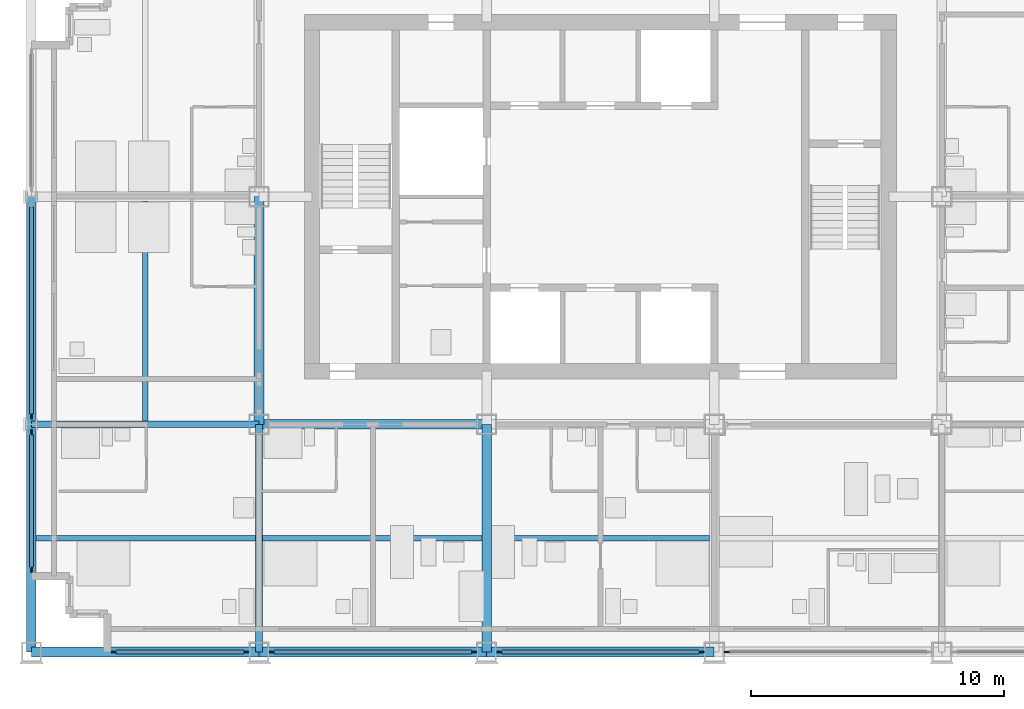
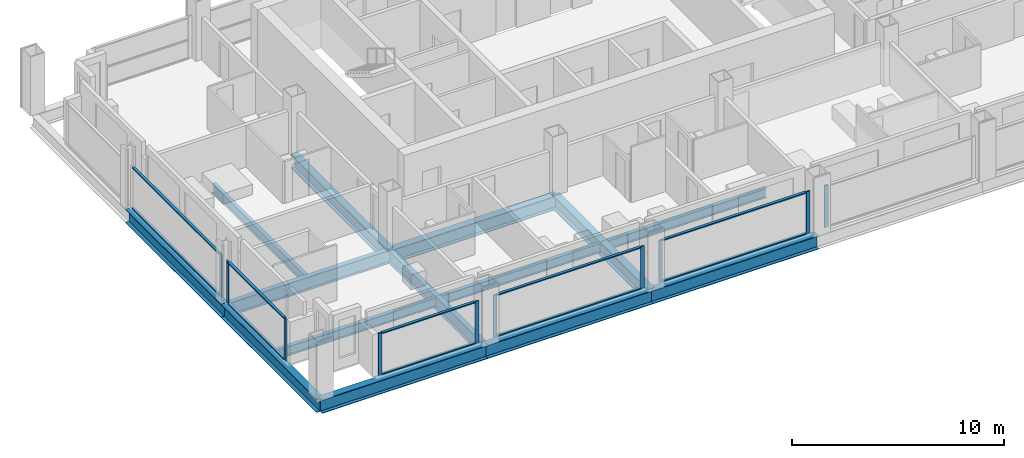
# One storey, part 2 of 13: 20 members, 14 beams, 6 elements without a shape of their own.
"""IFC4 building model written with IfcOpenShell, lengths in metres."""

from ifc_helpers import new_model, si_unit, direction, frame, origin, origin_2d, place, context, subcontext, project, spatial, rectangle, i_section, extrude, material, material_profile, profile_set, type_object, element, aggregate, save


model = new_model("IFC4")

# Units and contexts
model_context = context("Model", 3, precision=1e-05, world=origin(), true_north=direction((0.0, 1.0)))
body_context = subcontext(model_context, "Body", "Model", "MODEL_VIEW")
ifc_project = project(units=[si_unit("LENGTHUNIT", "METRE"), si_unit("AREAUNIT", "SQUARE_METRE"), si_unit("VOLUMEUNIT", "CUBIC_METRE"), si_unit("PLANEANGLEUNIT", "RADIAN"), si_unit("MASSUNIT", "GRAM", prefix="KILO")], contexts=[model_context])

# Site, building, storey
site_placement = place(None, origin())
site = spatial("IfcSite", under=ifc_project, at=site_placement, CompositionType="ELEMENT")
building_placement = place(site_placement, origin())
building = spatial("IfcBuilding", under=site, at=building_placement, Name="Loomwork Tower", CompositionType="ELEMENT")
storey_placement = place(building_placement, frame((0.0, 0.0, 201.199951171875)))
storey = spatial("IfcBuildingStorey", under=building, at=storey_placement, Name="L55", CompositionType="ELEMENT", Elevation=201.199951171875)

# Beams
ifc_material_1 = material(Name="Steel ASTM A992", Category="steel")
ifc_material_profile_1 = material_profile(ifc_material_1, i_section(OverallWidth=0.383544921875, OverallDepth=0.794921875, WebThickness=0.02099609375, FlangeThickness=0.0380859375, at=origin_2d()), Name="W30x235")
ifc_profile_set_1 = profile_set([ifc_material_profile_1], Name="Steel ASTM A992")
beam_type_1 = type_object("IfcBeamType", Name="CORE FLANK GIRDER W30x235", PredefinedType="BEAM", material=ifc_profile_set_1)
for number, where, z_axis, x_axis, name in (
    (1, (9.0, 9.0, -0.597412109375), (1.0, 0.0, 0.0), (0.0, 1.0, 0.0), "Core Flank Girder E/3-E/4 L55"),
    (2, (9.0, 9.0, -0.597412109375), (0.0, 1.0, 0.0), (-1.0, 0.0, 0.0), "Core Flank Girder E/3-F/3 L55"),
    (3, (18.0, 0.0, -0.597412109375), (0.0, 1.0, 0.0), (-1.0, 0.0, 0.0), "Core Flank Girder D/4-E/4 L55"),
):
    element("IfcBeam", number, at=place(storey_placement, frame(where, z_axis=z_axis, x_axis=x_axis)), inside=storey, type_object=beam_type_1, Name=name, PredefinedType="BEAM", context=body_context, shape_type="SweptSolid", body=[
        extrude(i_section(OverallWidth=0.383544921875, OverallDepth=0.794921875, WebThickness=0.02099609375, FlangeThickness=0.0380859375, at=origin_2d()), origin(), (0.0, 0.0, 1.0), 9.0),
    ])
ifc_material_2 = material(Name="Steel ASTM A992", Category="steel")
ifc_material_profile_2 = material_profile(ifc_material_2, i_section(OverallWidth=0.2666015625, OverallDepth=0.761962890625, WebThickness=0.014404296875, FlangeThickness=0.021484375, at=origin_2d()), Name="W30x116")
ifc_profile_set_2 = profile_set([ifc_material_profile_2], Name="Steel ASTM A992")
beam_type_2 = type_object("IfcBeamType", Name="FLOOR GIRDER W30x116", PredefinedType="BEAM", material=ifc_profile_set_2)
for number, where, z_axis, x_axis, name in (
    (4, (0.0, 9.0, -0.5810546875), (1.0, 0.0, 0.0), (0.0, 1.0, 0.0), "Floor Girder E/2-E/3 L55"),
    (5, (9.0, 0.0, -0.5810546875), (0.0, 1.0, 0.0), (-1.0, 0.0, 0.0), "Floor Girder D/3-E/3 L55"),
):
    element("IfcBeam", number, at=place(storey_placement, frame(where, z_axis=z_axis, x_axis=x_axis)), inside=storey, type_object=beam_type_2, Name=name, PredefinedType="BEAM", context=body_context, shape_type="SweptSolid", body=[
        extrude(i_section(OverallWidth=0.2666015625, OverallDepth=0.761962890625, WebThickness=0.014404296875, FlangeThickness=0.021484375, at=origin_2d()), origin(), (0.0, 0.0, 1.0), 9.0),
    ])
ifc_material_3 = material(Name="Steel ASTM A992", Category="steel")
ifc_material_profile_3 = material_profile(ifc_material_3, i_section(OverallWidth=0.2109375, OverallDepth=0.53857421875, WebThickness=0.011474609375, FlangeThickness=0.018798828125, at=origin_2d()), Name="W21x73")
ifc_profile_set_3 = profile_set([ifc_material_profile_3], Name="Steel ASTM A992")
beam_type_3 = type_object("IfcBeamType", Name="FLOOR JOIST W21x73", PredefinedType="JOIST", material=ifc_profile_set_3)
beam_1_placement = place(storey_placement, frame((0.18994140625, 4.5, -0.46923828125), z_axis=(1.0, 0.0, 0.0), x_axis=(0.0, 1.0, 0.0)))
element("IfcBeam", 6, at=beam_1_placement, inside=storey, type_object=beam_type_3, Name="Floor Joist 0.000,4.500-9.000,4.500 L55", PredefinedType="JOIST", context=body_context, shape_type="SweptSolid", body=[
    extrude(i_section(OverallWidth=0.2109375, OverallDepth=0.53857421875, WebThickness=0.011474609375, FlangeThickness=0.018798828125, at=origin_2d()), origin(), (0.0, 0.0, 1.0), 8.677001953125),
])
for number, where, z_axis, x_axis, name in (
    (7, (4.5, 9.133056640625, -0.46923828125), (0.0, 1.0, 0.0), (-1.0, 0.0, 0.0), "Floor Joist 4.500,9.000-4.500,18.000 L55"),
    (8, (9.133056640625, 4.5, -0.46923828125), (1.0, 0.0, 0.0), (0.0, 1.0, 0.0), "Floor Joist 9.000,4.500-18.000,4.500 L55"),
):
    element("IfcBeam", number, at=place(storey_placement, frame(where, z_axis=z_axis, x_axis=x_axis)), inside=storey, type_object=beam_type_3, Name=name, PredefinedType="JOIST", context=body_context, shape_type="SweptSolid", body=[
        extrude(i_section(OverallWidth=0.2109375, OverallDepth=0.53857421875, WebThickness=0.011474609375, FlangeThickness=0.018798828125, at=origin_2d()), origin(), (0.0, 0.0, 1.0), 8.676025390625),
    ])
beam_2_placement = place(storey_placement, frame((18.19091796875, 4.5, -0.46923828125), z_axis=(1.0, 0.0, 0.0), x_axis=(0.0, 1.0, 0.0)))
element("IfcBeam", 9, at=beam_2_placement, inside=storey, type_object=beam_type_3, Name="Floor Joist 18.000,4.500-27.000,4.500 L55", PredefinedType="JOIST", context=body_context, shape_type="SweptSolid", body=[
    extrude(i_section(OverallWidth=0.2109375, OverallDepth=0.53857421875, WebThickness=0.011474609375, FlangeThickness=0.018798828125, at=origin_2d()), origin(), (0.0, 0.0, 1.0), 8.6181640625),
])

# Curtain wall, members
ifc_material_4 = material(Name="Aluminium curtain wall frame", Category="aluminium")
curtain_wall_type = type_object("IfcCurtainWallType", Name="Outer skin glazing hotel", PredefinedType="NOTDEFINED", material=ifc_material_4)
curtain_wall_1_placement = place(storey_placement, origin())
curtain_wall_1 = element("IfcCurtainWall", 10, at=curtain_wall_1_placement, inside=storey, type_object=curtain_wall_type, Name="Outer skin glazing hotel cw/S-0", PredefinedType="NOTDEFINED")
ifc_material_5 = material(Name="Aluminium curtain wall frame", Category="aluminium")
ifc_material_profile_4 = material_profile(ifc_material_5, rectangle(XDim=0.06494140625, YDim=0.199951171875, at=origin_2d()), Name="AL 65x200")
ifc_profile_set_4 = profile_set([ifc_material_profile_4], Name="Aluminium curtain wall frame")
member_type_1 = type_object("IfcMemberType", Name="Outer skin glazing hotel mullion", PredefinedType="MULLION", material=ifc_profile_set_4)
member_1_placement = place(storey_placement, frame((3.25, 0.0, 0.0), z_axis=(0.0, 0.0, 1.0), x_axis=(0.0, 1.0, 0.0)))
member_1 = element("IfcMember", 11, at=member_1_placement, type_object=member_type_1, Name="CW1 mullion 1", PredefinedType="MULLION", context=body_context, shape_type="SweptSolid", body=[
    extrude(rectangle(XDim=0.06494140625, YDim=0.199951171875, at=origin_2d()), origin(), (0.0, 0.0, 1.0), 2.420166015625),
])
member_2_placement = place(storey_placement, frame((8.5, 0.0, 0.0), z_axis=(0.0, 0.0, 1.0), x_axis=(0.0, 1.0, 0.0)))
member_2 = element("IfcMember", 12, at=member_2_placement, type_object=member_type_1, Name="CW1 mullion 2", PredefinedType="MULLION", context=body_context, shape_type="SweptSolid", body=[
    extrude(rectangle(XDim=0.06494140625, YDim=0.199951171875, at=origin_2d()), origin(), (0.0, 0.0, 1.0), 2.420166015625),
])

curtain_wall_2_placement = place(storey_placement, origin())
curtain_wall_2 = element("IfcCurtainWall", 13, at=curtain_wall_2_placement, inside=storey, type_object=curtain_wall_type, Name="Outer skin glazing hotel cw/S-9", PredefinedType="NOTDEFINED")
member_3_placement = place(storey_placement, frame((9.5, 0.0, 0.0), z_axis=(0.0, 0.0, 1.0), x_axis=(0.0, 1.0, 0.0)))
member_3 = element("IfcMember", 14, at=member_3_placement, type_object=member_type_1, Name="CW1 mullion 1", PredefinedType="MULLION", context=body_context, shape_type="SweptSolid", body=[
    extrude(rectangle(XDim=0.06494140625, YDim=0.199951171875, at=origin_2d()), origin(), (0.0, 0.0, 1.0), 2.420166015625),
])
member_4_placement = place(storey_placement, frame((17.5, 0.0, 0.0), z_axis=(0.0, 0.0, 1.0), x_axis=(0.0, 1.0, 0.0)))
member_4 = element("IfcMember", 15, at=member_4_placement, type_object=member_type_1, Name="CW1 mullion 2", PredefinedType="MULLION", context=body_context, shape_type="SweptSolid", body=[
    extrude(rectangle(XDim=0.06494140625, YDim=0.199951171875, at=origin_2d()), origin(), (0.0, 0.0, 1.0), 2.420166015625),
])

curtain_wall_3_placement = place(storey_placement, origin())
curtain_wall_3 = element("IfcCurtainWall", 16, at=curtain_wall_3_placement, inside=storey, type_object=curtain_wall_type, Name="Outer skin glazing hotel cw/S-18", PredefinedType="NOTDEFINED")
member_5_placement = place(storey_placement, frame((18.5, 0.0, 0.0), z_axis=(0.0, 0.0, 1.0), x_axis=(0.0, 1.0, 0.0)))
member_5 = element("IfcMember", 17, at=member_5_placement, type_object=member_type_1, Name="CW1 mullion 1", PredefinedType="MULLION", context=body_context, shape_type="SweptSolid", body=[
    extrude(rectangle(XDim=0.06494140625, YDim=0.199951171875, at=origin_2d()), origin(), (0.0, 0.0, 1.0), 2.420166015625),
])
member_6_placement = place(storey_placement, frame((26.5, 0.0, 0.0), z_axis=(0.0, 0.0, 1.0), x_axis=(0.0, 1.0, 0.0)))
member_6 = element("IfcMember", 18, at=member_6_placement, type_object=member_type_1, Name="CW1 mullion 2", PredefinedType="MULLION", context=body_context, shape_type="SweptSolid", body=[
    extrude(rectangle(XDim=0.06494140625, YDim=0.199951171875, at=origin_2d()), origin(), (0.0, 0.0, 1.0), 2.420166015625),
])

# Curtain wall, member
curtain_wall_4_placement = place(storey_placement, origin())
curtain_wall_4 = element("IfcCurtainWall", 19, at=curtain_wall_4_placement, inside=storey, type_object=curtain_wall_type, Name="Outer skin glazing hotel cw/S-27", PredefinedType="NOTDEFINED")
member_7_placement = place(storey_placement, frame((27.5, 0.0, 0.0), z_axis=(0.0, 0.0, 1.0), x_axis=(0.0, 1.0, 0.0)))
member_7 = element("IfcMember", 20, at=member_7_placement, type_object=member_type_1, Name="CW1 mullion 1", PredefinedType="MULLION", context=body_context, shape_type="SweptSolid", body=[
    extrude(rectangle(XDim=0.06494140625, YDim=0.199951171875, at=origin_2d()), origin(), (0.0, 0.0, 1.0), 2.420166015625),
])
aggregate(curtain_wall_4, [member_7])

# Curtain wall, members
curtain_wall_5_placement = place(storey_placement, origin())
curtain_wall_5 = element("IfcCurtainWall", 21, at=curtain_wall_5_placement, inside=storey, type_object=curtain_wall_type, Name="Outer skin glazing hotel cw/W-0", PredefinedType="NOTDEFINED")
member_8_placement = place(storey_placement, frame((0.0, 8.6865234375, 0.0), z_axis=(0.0, 0.0, 1.0), x_axis=(1.0, 0.0, 0.0)))
member_8 = element("IfcMember", 22, at=member_8_placement, type_object=member_type_1, Name="CW1 mullion 1", PredefinedType="MULLION", context=body_context, shape_type="SweptSolid", body=[
    extrude(rectangle(XDim=0.06494140625, YDim=0.199951171875, at=origin_2d()), origin(), (0.0, 0.0, 1.0), 2.420166015625),
])
member_9_placement = place(storey_placement, frame((0.0, 3.25, 0.0), z_axis=(0.0, 0.0, 1.0), x_axis=(1.0, 0.0, 0.0)))
member_9 = element("IfcMember", 23, at=member_9_placement, type_object=member_type_1, Name="CW1 mullion 2", PredefinedType="MULLION", context=body_context, shape_type="SweptSolid", body=[
    extrude(rectangle(XDim=0.06494140625, YDim=0.199951171875, at=origin_2d()), origin(), (0.0, 0.0, 1.0), 2.420166015625),
])

# Curtain wall, member
curtain_wall_6_placement = place(storey_placement, origin())
curtain_wall_6 = element("IfcCurtainWall", 24, at=curtain_wall_6_placement, inside=storey, type_object=curtain_wall_type, Name="Outer skin glazing hotel cw/W-9", PredefinedType="NOTDEFINED")
member_10_placement = place(storey_placement, frame((0.0, 9.3134765625, 0.0), z_axis=(0.0, 0.0, 1.0), x_axis=(1.0, 0.0, 0.0)))
member_10 = element("IfcMember", 25, at=member_10_placement, type_object=member_type_1, Name="CW1 mullion 2", PredefinedType="MULLION", context=body_context, shape_type="SweptSolid", body=[
    extrude(rectangle(XDim=0.06494140625, YDim=0.199951171875, at=origin_2d()), origin(), (0.0, 0.0, 1.0), 2.420166015625),
])

# Member
ifc_material_6 = material(Name="Aluminium curtain wall frame", Category="aluminium")
ifc_material_profile_5 = material_profile(ifc_material_6, rectangle(XDim=0.14990234375, YDim=0.06494140625, at=origin_2d()), Name="AL 65x150")
ifc_profile_set_5 = profile_set([ifc_material_profile_5], Name="Aluminium curtain wall frame")
member_type_2 = type_object("IfcMemberType", Name="Outer skin glazing hotel transom", PredefinedType="USERDEFINED", material=ifc_profile_set_5)
member_11_placement = place(storey_placement, frame((3.35009765625, 0.0, 0.032470703125), z_axis=(1.0, 0.0, 0.0), x_axis=(0.0, 1.0, 0.0)))
member_11 = element("IfcMember", 26, at=member_11_placement, type_object=member_type_2, Name="CW1 transom 1.1", ObjectType="TRANSOM", PredefinedType="USERDEFINED", context=body_context, shape_type="SweptSolid", body=[
    extrude(rectangle(XDim=0.14990234375, YDim=0.06494140625, at=origin_2d()), origin(), (0.0, 0.0, 1.0), 5.0498046875),
])

member_12_placement = place(storey_placement, frame((3.35009765625, 0.0, 2.3876953125), z_axis=(1.0, 0.0, 0.0), x_axis=(0.0, 1.0, 0.0)))
member_12 = element("IfcMember", 27, at=member_12_placement, type_object=member_type_2, Name="CW1 transom 1.2", ObjectType="TRANSOM", PredefinedType="USERDEFINED", context=body_context, shape_type="SweptSolid", body=[
    extrude(rectangle(XDim=0.14990234375, YDim=0.06494140625, at=origin_2d()), origin(), (0.0, 0.0, 1.0), 5.0498046875),
])

aggregate(curtain_wall_1, [member_1, member_2, member_11, member_12])

member_13_placement = place(storey_placement, frame((9.60009765625, 0.0, 0.032470703125), z_axis=(1.0, 0.0, 0.0), x_axis=(0.0, 1.0, 0.0)))
member_13 = element("IfcMember", 28, at=member_13_placement, type_object=member_type_2, Name="CW1 transom 1.1", ObjectType="TRANSOM", PredefinedType="USERDEFINED", context=body_context, shape_type="SweptSolid", body=[
    extrude(rectangle(XDim=0.14990234375, YDim=0.06494140625, at=origin_2d()), origin(), (0.0, 0.0, 1.0), 7.7998046875),
])

member_14_placement = place(storey_placement, frame((9.60009765625, 0.0, 2.3876953125), z_axis=(1.0, 0.0, 0.0), x_axis=(0.0, 1.0, 0.0)))
member_14 = element("IfcMember", 29, at=member_14_placement, type_object=member_type_2, Name="CW1 transom 1.2", ObjectType="TRANSOM", PredefinedType="USERDEFINED", context=body_context, shape_type="SweptSolid", body=[
    extrude(rectangle(XDim=0.14990234375, YDim=0.06494140625, at=origin_2d()), origin(), (0.0, 0.0, 1.0), 7.7998046875),
])

aggregate(curtain_wall_2, [member_3, member_4, member_13, member_14])

member_15_placement = place(storey_placement, frame((18.60009765625, 0.0, 0.032470703125), z_axis=(1.0, 0.0, 0.0), x_axis=(0.0, 1.0, 0.0)))
member_15 = element("IfcMember", 30, at=member_15_placement, type_object=member_type_2, Name="CW1 transom 1.1", ObjectType="TRANSOM", PredefinedType="USERDEFINED", context=body_context, shape_type="SweptSolid", body=[
    extrude(rectangle(XDim=0.14990234375, YDim=0.06494140625, at=origin_2d()), origin(), (0.0, 0.0, 1.0), 7.7998046875),
])

member_16_placement = place(storey_placement, frame((18.60009765625, 0.0, 2.3876953125), z_axis=(1.0, 0.0, 0.0), x_axis=(0.0, 1.0, 0.0)))
member_16 = element("IfcMember", 31, at=member_16_placement, type_object=member_type_2, Name="CW1 transom 1.2", ObjectType="TRANSOM", PredefinedType="USERDEFINED", context=body_context, shape_type="SweptSolid", body=[
    extrude(rectangle(XDim=0.14990234375, YDim=0.06494140625, at=origin_2d()), origin(), (0.0, 0.0, 1.0), 7.7998046875),
])

aggregate(curtain_wall_3, [member_5, member_6, member_15, member_16])

member_17_placement = place(storey_placement, frame((0.0, 8.586669921875, 0.032470703125), z_axis=(0.0, -1.0, 0.0), x_axis=(1.0, 0.0, 0.0)))
member_17 = element("IfcMember", 32, at=member_17_placement, type_object=member_type_2, Name="CW1 transom 1.1", ObjectType="TRANSOM", PredefinedType="USERDEFINED", context=body_context, shape_type="SweptSolid", body=[
    extrude(rectangle(XDim=0.14990234375, YDim=0.06494140625, at=origin_2d()), origin(), (0.0, 0.0, 1.0), 5.236572265625),
])

member_18_placement = place(storey_placement, frame((0.0, 8.586669921875, 2.3876953125), z_axis=(0.0, -1.0, 0.0), x_axis=(1.0, 0.0, 0.0)))
member_18 = element("IfcMember", 33, at=member_18_placement, type_object=member_type_2, Name="CW1 transom 1.2", ObjectType="TRANSOM", PredefinedType="USERDEFINED", context=body_context, shape_type="SweptSolid", body=[
    extrude(rectangle(XDim=0.14990234375, YDim=0.06494140625, at=origin_2d()), origin(), (0.0, 0.0, 1.0), 5.236572265625),
])

aggregate(curtain_wall_5, [member_8, member_9, member_17, member_18])

member_19_placement = place(storey_placement, frame((0.0, 17.586669921875, 0.032470703125), z_axis=(0.0, -1.0, 0.0), x_axis=(1.0, 0.0, 0.0)))
member_19 = element("IfcMember", 34, at=member_19_placement, type_object=member_type_2, Name="CW1 transom 1.1", ObjectType="TRANSOM", PredefinedType="USERDEFINED", context=body_context, shape_type="SweptSolid", body=[
    extrude(rectangle(XDim=0.14990234375, YDim=0.06494140625, at=origin_2d()), origin(), (0.0, 0.0, 1.0), 8.17333984375),
])

member_20_placement = place(storey_placement, frame((0.0, 17.586669921875, 2.3876953125), z_axis=(0.0, -1.0, 0.0), x_axis=(1.0, 0.0, 0.0)))
member_20 = element("IfcMember", 35, at=member_20_placement, type_object=member_type_2, Name="CW1 transom 1.2", ObjectType="TRANSOM", PredefinedType="USERDEFINED", context=body_context, shape_type="SweptSolid", body=[
    extrude(rectangle(XDim=0.14990234375, YDim=0.06494140625, at=origin_2d()), origin(), (0.0, 0.0, 1.0), 8.17333984375),
])

aggregate(curtain_wall_6, [member_10, member_19, member_20])

# Beams
ifc_material_7 = material(Name="Steel ASTM A992", Category="steel")
ifc_material_profile_6 = material_profile(ifc_material_7, i_section(OverallWidth=0.381103515625, OverallDepth=0.77978515625, WebThickness=0.01806640625, FlangeThickness=0.0302734375, at=origin_2d()), Name="W30x191")
ifc_profile_set_6 = profile_set([ifc_material_profile_6], Name="Steel ASTM A992")
beam_type_4 = type_object("IfcBeamType", Name="SPANDREL GIRDER W30x191", PredefinedType="SPANDREL", material=ifc_profile_set_6)
for number, where, z_axis, x_axis, name in (
    (36, (0.0, 0.0, -0.58984375), (1.0, 0.0, 0.0), (0.0, 1.0, 0.0), "Spandrel Girder D/2-D/3 L55"),
    (37, (9.0, 0.0, -0.58984375), (1.0, 0.0, 0.0), (0.0, 1.0, 0.0), "Spandrel Girder D/3-D/4 L55"),
    (38, (18.0, 0.0, -0.58984375), (1.0, 0.0, 0.0), (0.0, 1.0, 0.0), "Spandrel Girder D/4-D/5 L55"),
    (39, (0.0, 0.0, -0.58984375), (0.0, 1.0, 0.0), (-1.0, 0.0, 0.0), "Spandrel Girder D/2-E/2 L55"),
    (40, (0.0, 9.0, -0.58984375), (0.0, 1.0, 0.0), (-1.0, 0.0, 0.0), "Spandrel Girder E/2-F/2 L55"),
):
    element("IfcBeam", number, at=place(storey_placement, frame(where, z_axis=z_axis, x_axis=x_axis)), inside=storey, type_object=beam_type_4, Name=name, PredefinedType="SPANDREL", context=body_context, shape_type="SweptSolid", body=[
        extrude(i_section(OverallWidth=0.381103515625, OverallDepth=0.77978515625, WebThickness=0.01806640625, FlangeThickness=0.0302734375, at=origin_2d()), origin(), (0.0, 0.0, 1.0), 9.0),
    ])

save(model, "model.ifc")
